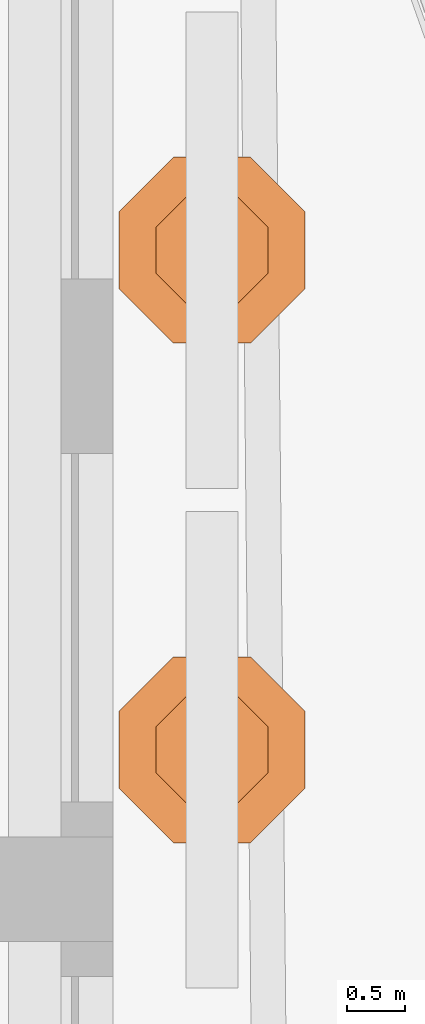
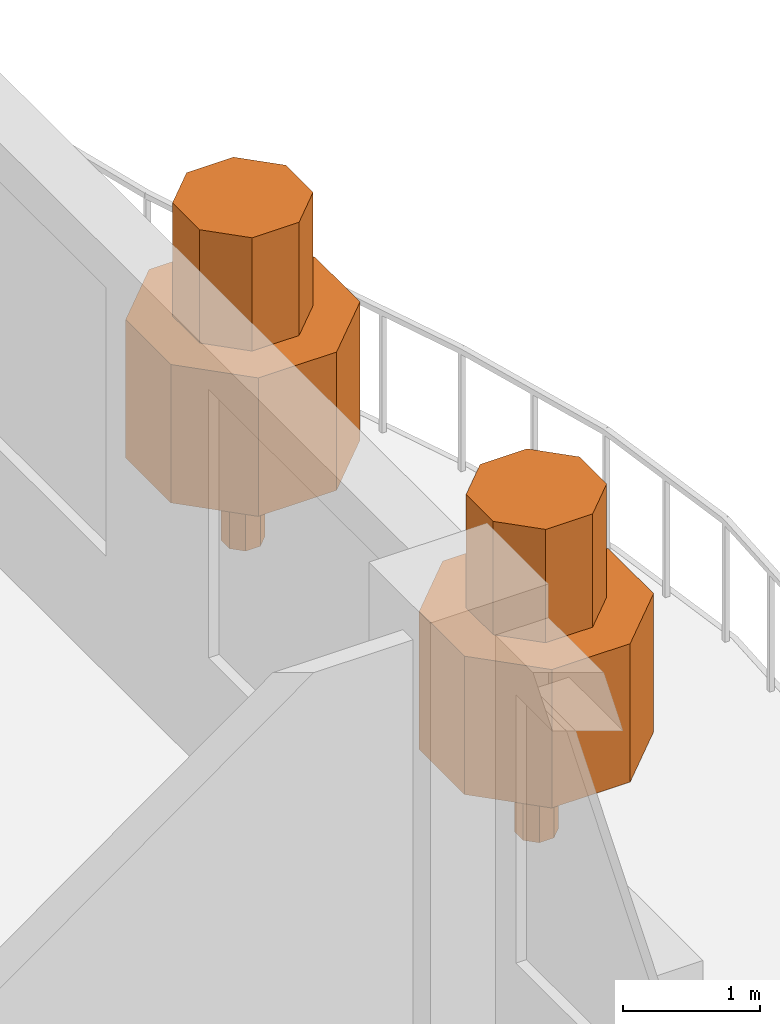
# One storey, part 14 of 14: 2 geographic elements.
"""IFC4 building model written with IfcOpenShell, lengths in metres."""

from ifc_helpers import new_model, si_unit, direction, frame, origin, place, context, subcontext, project, spatial, polyline, outline, extrude, material, type_object, element, save


model = new_model("IFC4")

# Units and contexts
model_context = context("Model", 3, precision=1e-05, world=origin(), true_north=direction((0.0, 1.0)))
body_context = subcontext(model_context, "Body", "Model", "MODEL_VIEW")
ifc_project = project(units=[si_unit("LENGTHUNIT", "METRE"), si_unit("AREAUNIT", "SQUARE_METRE"), si_unit("VOLUMEUNIT", "CUBIC_METRE"), si_unit("PLANEANGLEUNIT", "RADIAN"), si_unit("MASSUNIT", "GRAM", prefix="KILO")], contexts=[model_context])

# Site, building, storey
site_placement = place(None, origin())
site = spatial("IfcSite", under=ifc_project, at=site_placement, CompositionType="ELEMENT")
building_placement = place(site_placement, origin())
building = spatial("IfcBuilding", under=site, at=building_placement, Name="Cypress Arch Tower", CompositionType="ELEMENT")
storey_placement = place(building_placement, frame((0.0, 0.0, 284.39990234375)))
storey = spatial("IfcBuildingStorey", under=building, at=storey_placement, Name="L64", CompositionType="ELEMENT", Elevation=284.39990234375)

# Geographic elements
ifc_material = material(Name="Foliage and planting")
geographic_element_type = type_object("IfcGeographicElementType", Name="Balcony tree TR", PredefinedType="USERDEFINED", material=ifc_material)
for number, where, z_axis, x_axis, name in (
    (1, (25.60009765625, -3.300048828125, 0.60009765625), (0.0, 0.0, 1.0), (1.0, 0.0, 0.0), "Balcony tree L64-C17.1"),
    (2, (25.60009765625, 1.0, 0.60009765625), (0.0, 0.0, 1.0), (1.0, 0.0, 0.0), "Balcony tree L64-C17.2"),
):
    element("IfcGeographicElement", number, at=place(storey_placement, frame(where, z_axis=z_axis, x_axis=x_axis)), inside=storey, type_object=geographic_element_type, Name=name, ObjectType="TREE", PredefinedType="USERDEFINED", context=body_context, shape_type="SweptSolid", body=[
        extrude(outline(polyline([(0.14990234375, 0.06201171875), (0.06201171875, 0.14990234375), (-0.06201171875, 0.14990234375), (-0.14990234375, 0.06201171875), (-0.14990234375, -0.06201171875), (-0.06201171875, -0.14990234375), (0.06201171875, -0.14990234375), (0.14990234375, -0.06201171875), (0.14990234375, 0.06201171875)])), origin(), (0.0, 0.0, 1.0), 0.89990234375),
        extrude(outline(polyline([(0.800048828125, 0.331298828125), (0.331298828125, 0.800048828125), (-0.331298828125, 0.800048828125), (-0.800048828125, 0.331298828125), (-0.800048828125, -0.331298828125), (-0.331298828125, -0.800048828125), (0.331298828125, -0.800048828125), (0.800048828125, -0.331298828125), (0.800048828125, 0.331298828125)])), frame((0.0, 0.0, 0.800048828125)), (0.0, 0.0, 1.0), 1.237548828125),
        extrude(outline(polyline([(0.47998046875, 0.19873046875), (0.19873046875, 0.47998046875), (-0.19873046875, 0.47998046875), (-0.47998046875, 0.19873046875), (-0.47998046875, -0.19873046875), (-0.19873046875, -0.47998046875), (0.19873046875, -0.47998046875), (0.47998046875, -0.19873046875), (0.47998046875, 0.19873046875)])), frame((0.0, 0.0, 2.03759765625)), (0.0, 0.0, 1.0), 1.012451171875),
    ])

save(model, "model.ifc")
